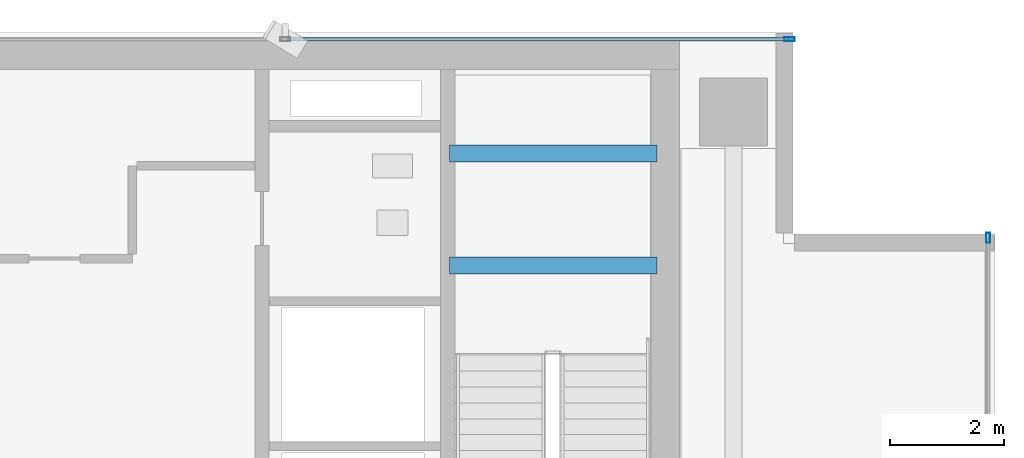
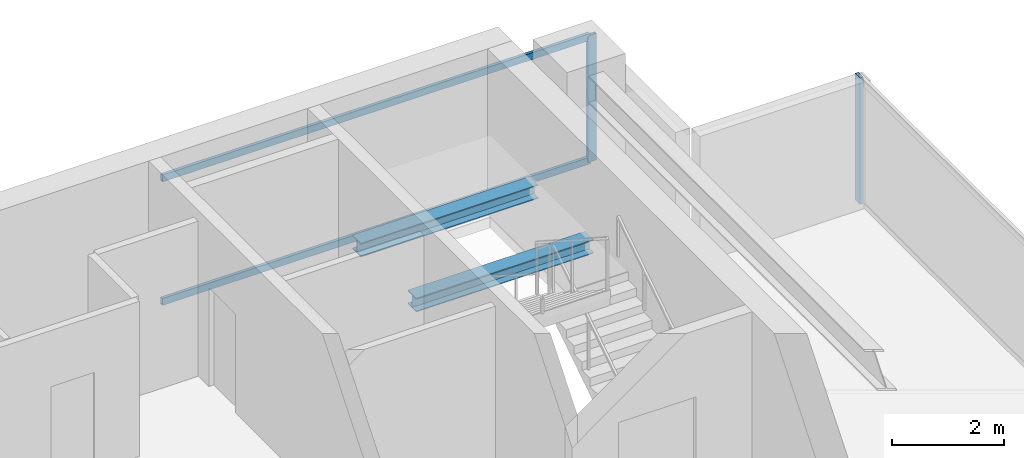
# One storey, part 13 of 22: 4 members, 2 beams, 2 elements without a shape of their own.
"""IFC4 building model written with IfcOpenShell, lengths in metres."""

import ifcopenshell
import ifcopenshell.guid

model = None  # the IFC model being written
_history = None  # IfcOwnerHistory: only IFC2X3 demands one
_inside = {}  # id of a spatial element -> (the spatial element, [elements in it])
_under = {}  # id of a project, library or spatial element -> (it, [spatial elements below it])
_declared = {}  # id of a project -> (the project, [libraries it declares])
_typed = {}  # id of a type object -> (the type object, [elements of that type])
_made_of = {}  # id of a material, layer set ... -> (it, [elements and type objects made of it])


def new_model(schema):
    """Start an empty IFC model of exactly this schema.

    Asked for "IFC4X3", IfcOpenShell would pick the latest addendum, in which some entities
    have other attributes; the version numbers below select the first issue.
    IFC2X3 requires an IfcOwnerHistory on every rooted entity: one is made here for all.
    """
    global model, _history
    if schema == "IFC4X3":
        model = ifcopenshell.file(schema_version=(4, 3, 0, 0))
    else:
        model = ifcopenshell.file(schema=schema)
    _inside.clear()
    _under.clear()
    _declared.clear()
    _typed.clear()
    _made_of.clear()
    _history = None
    if model.schema == "IFC2X3":
        org = make("IfcOrganization", Name="unknown")
        user = make(
            "IfcPersonAndOrganization",
            ThePerson=make("IfcPerson", FamilyName="unknown"),
            TheOrganization=org,
        )
        app = make(
            "IfcApplication",
            ApplicationDeveloper=org,
            Version="unknown",
            ApplicationFullName="unknown",
            ApplicationIdentifier="unknown",
        )
        _history = make(
            "IfcOwnerHistory",
            OwningUser=user,
            OwningApplication=app,
            ChangeAction="ADDED",
            CreationDate=0,
        )
    return model


def make(cls, **values):
    """One entity of the class cls with the attributes given. An attribute that is None is left unset."""
    return model.create_entity(
        cls, **{name: value for name, value in values.items() if value is not None}
    )


def rooted(cls, **values):
    """An entity with a GlobalId (a new one), such as an element, a storey or a relation."""
    return make(cls, GlobalId=ifcopenshell.guid.new(), OwnerHistory=_history, **values)


def si_unit(unit_type, name, prefix=None):
    """IfcSIUnit, for example si_unit("LENGTHUNIT", "METRE", prefix="MILLI")."""
    return make("IfcSIUnit", UnitType=unit_type, Prefix=prefix, Name=name)


def assignment(units):
    """IfcUnitAssignment: the units of a project."""
    return None if units is None else make("IfcUnitAssignment", Units=units)


def point(xyz):
    """IfcCartesianPoint."""
    return None if xyz is None else make("IfcCartesianPoint", Coordinates=xyz)


def direction(xyz):
    """IfcDirection."""
    return None if xyz is None else make("IfcDirection", DirectionRatios=xyz)


def frame(location, z_axis=None, x_axis=None):
    """IfcAxis2Placement3D, a coordinate frame: its origin and axes. An axis left out is left unset."""
    return make(
        "IfcAxis2Placement3D",
        Location=point(location),
        Axis=direction(z_axis),
        RefDirection=direction(x_axis),
    )


def frame_2d(location, x_axis=None):
    """IfcAxis2Placement2D, a coordinate frame in the plane: its origin and x axis."""
    return make(
        "IfcAxis2Placement2D", Location=point(location), RefDirection=direction(x_axis)
    )


def origin():
    """The frame at (0, 0, 0) with its axes left unset."""
    return frame((0.0, 0.0, 0.0))


def origin_2d():
    """The frame at (0, 0) in the plane with its x axis left unset."""
    return frame_2d((0.0, 0.0))


def place(relative_to, where):
    """IfcLocalPlacement: puts the frame where relative to a parent placement (None: the world)."""
    return make(
        "IfcLocalPlacement", PlacementRelTo=relative_to, RelativePlacement=where
    )


def context(
    kind, dimensions, precision=None, world=None, true_north=None, identifier=None
):
    """IfcGeometricRepresentationContext, for example the 3D "Model" context."""
    return make(
        "IfcGeometricRepresentationContext",
        ContextIdentifier=identifier,
        ContextType=kind,
        CoordinateSpaceDimension=dimensions,
        Precision=precision,
        WorldCoordinateSystem=world,
        TrueNorth=true_north,
    )


def subcontext(parent, identifier, kind, view, scale=None):
    """IfcGeometricRepresentationSubContext, for example "Body" below "Model"."""
    return make(
        "IfcGeometricRepresentationSubContext",
        ContextIdentifier=identifier,
        ContextType=kind,
        ParentContext=parent,
        TargetScale=scale,
        TargetView=view,
    )


def project(units=None, contexts=None):
    """IfcProject with its units and contexts."""
    return rooted(
        "IfcProject",
        Name="project",
        RepresentationContexts=contexts,
        UnitsInContext=assignment(units),
    )


def spatial(cls, under=None, at=None, **own):
    """A site, building, storey or space (cls), placed at a placement, below another one or the project."""
    s = rooted(cls, ObjectPlacement=at, **own)
    if under is not None:
        _under.setdefault(under.id(), (under, []))[1].append(s)
    return s


def profile(cls, at=None, kind="AREA", **sizes):
    """A parametric profile (cls). Its sizes go by their IFC names, for example OverallWidth=200.0."""
    return make(cls, ProfileType=kind, Position=at, **sizes)


def hollow_rectangle(**sizes):
    """IfcRectangleHollowProfileDef."""
    return profile("IfcRectangleHollowProfileDef", **sizes)


def i_section(**sizes):
    """IfcIShapeProfileDef."""
    return profile("IfcIShapeProfileDef", **sizes)


def extrude(swept, where, along, depth):
    """IfcExtrudedAreaSolid: the profile swept, set in the frame where, extruded along a direction by depth."""
    return make(
        "IfcExtrudedAreaSolid",
        SweptArea=swept,
        Position=where,
        ExtrudedDirection=direction(along),
        Depth=depth,
    )


def shape(context_of_items, identifier, shape_type, items):
    """IfcShapeRepresentation: the items that make up one representation, for example the "Body"."""
    return make(
        "IfcShapeRepresentation",
        ContextOfItems=context_of_items,
        RepresentationIdentifier=identifier,
        RepresentationType=shape_type,
        Items=items,
    )


def source(mapping_origin, context_of_items, identifier, shape_type, items):
    """IfcRepresentationMap: a shape defined once, which mapped items show again and again."""
    return make(
        "IfcRepresentationMap",
        MappingOrigin=mapping_origin,
        MappedRepresentation=shape(context_of_items, identifier, shape_type, items),
    )


def transform(
    local_origin,
    x_axis=None,
    y_axis=None,
    z_axis=None,
    scale=None,
    scale2=None,
    scale3=None,
    uniform=True,
):
    """IfcCartesianTransformationOperator3D, or its non-uniform kind. x_axis, y_axis, z_axis: its Axis1, 2, 3."""
    if uniform:
        return make(
            "IfcCartesianTransformationOperator3D",
            Axis1=direction(x_axis),
            Axis2=direction(y_axis),
            LocalOrigin=point(local_origin),
            Scale=scale,
            Axis3=direction(z_axis),
        )
    return make(
        "IfcCartesianTransformationOperator3DnonUniform",
        Axis1=direction(x_axis),
        Axis2=direction(y_axis),
        LocalOrigin=point(local_origin),
        Scale=scale,
        Axis3=direction(z_axis),
        Scale2=scale2,
        Scale3=scale3,
    )


def mapped(mapping_source, mapping_target):
    """IfcMappedItem: shows the shape of a source again, moved by a transform."""
    return make(
        "IfcMappedItem", MappingSource=mapping_source, MappingTarget=mapping_target
    )


def material(Name=None, Category=None):
    """IfcMaterial."""
    return make("IfcMaterial", Name=Name, Category=Category)


def layer(
    of_material, thickness, ventilated=None, Name=None, Category=None, Priority=None
):
    """IfcMaterialLayer: one layer of a wall or slab, of a material (None: an air gap)."""
    return make(
        "IfcMaterialLayer",
        Material=of_material,
        LayerThickness=thickness,
        IsVentilated=ventilated,
        Name=Name,
        Category=Category,
        Priority=Priority,
    )


def layer_set(layers, Name=None):
    """IfcMaterialLayerSet."""
    return make("IfcMaterialLayerSet", MaterialLayers=layers, LayerSetName=Name)


def material_profile(
    of_material, cross_section, Name=None, Category=None, Priority=None
):
    """IfcMaterialProfile: a cross section and its material."""
    return make(
        "IfcMaterialProfile",
        Name=Name,
        Material=of_material,
        Profile=cross_section,
        Priority=Priority,
        Category=Category,
    )


def profile_set(profiles, Name=None, composite=None):
    """IfcMaterialProfileSet."""
    return make(
        "IfcMaterialProfileSet",
        Name=Name,
        MaterialProfiles=profiles,
        CompositeProfile=composite,
    )


def made_of(thing, what):
    """Note that an element or type object is made of a material, layer set ...; save() writes the relation."""
    if what is not None:
        _made_of.setdefault(what.id(), (what, []))[1].append(thing)
    return thing


def type_object(cls, material=None, **own):
    """A type object (cls), such as IfcWallType, which elements share."""
    return made_of(rooted(cls, **own), material)


def element(
    cls,
    number,
    at=None,
    inside=None,
    cuts=None,
    type_object=None,
    material=None,
    context=None,
    identifier="Body",
    shape_type=None,
    held_by="IfcProductDefinitionShape",
    body=None,
    shapes=None,
    **own,
):
    """One element of the class cls, such as IfcWall. Its Tag is "e" and its number.

    at: its placement. inside: the storey or other place that contains it. cuts: it is an
    opening in that element (IfcRelVoidsElement). A single representation is given by context,
    identifier, shape_type and body (its items); several are given by shapes. held_by: the class
    of the entity that holds the representations. save() writes the other relations.
    """
    e = rooted(cls, Tag="e%d" % number, ObjectPlacement=at, **own)
    if body is not None:
        shapes = [shape(context, identifier, shape_type, body)]
    if shapes is not None:
        e.Representation = make(held_by, Representations=shapes)
    if inside is not None:
        _inside.setdefault(inside.id(), (inside, []))[1].append(e)
    if cuts is not None:
        rooted(
            "IfcRelVoidsElement", RelatingBuildingElement=cuts, RelatedOpeningElement=e
        )
    if type_object is not None:
        _typed.setdefault(type_object.id(), (type_object, []))[1].append(e)
    return made_of(e, material)


def aggregate(whole, parts):
    """IfcRelAggregates: a whole, such as a stair, and the parts it consists of."""
    return rooted("IfcRelAggregates", RelatingObject=whole, RelatedObjects=parts)


def save(model, path):
    """Write the relations noted so far, then the file.

    IfcRelAggregates (storeys below a building ...), IfcRelContainedInSpatialStructure (elements
    in a storey), IfcRelDefinesByType, IfcRelAssociatesMaterial and IfcRelDeclares: one each for
    every whole, place, type object, material and project.
    """
    for whole, parts in _under.values():
        aggregate(whole, parts)
    for where, things in _inside.values():
        rooted(
            "IfcRelContainedInSpatialStructure",
            RelatedElements=things,
            RelatingStructure=where,
        )
    for kind, things in _typed.values():
        rooted("IfcRelDefinesByType", RelatedObjects=things, RelatingType=kind)
    for what, things in _made_of.values():
        rooted("IfcRelAssociatesMaterial", RelatedObjects=things, RelatingMaterial=what)
    for by, libraries in _declared.values():
        rooted("IfcRelDeclares", RelatingContext=by, RelatedDefinitions=libraries)
    model.write(path)


model = new_model("IFC4")

# Units and contexts
model_context = context("Model", 3, precision=1e-05, world=origin(), true_north=direction((0.0, 1.0)))
body_context = subcontext(model_context, "Body", "Model", "MODEL_VIEW")
ifc_project = project(units=[si_unit("LENGTHUNIT", "METRE"), si_unit("AREAUNIT", "SQUARE_METRE"), si_unit("VOLUMEUNIT", "CUBIC_METRE"), si_unit("PLANEANGLEUNIT", "RADIAN"), si_unit("MASSUNIT", "GRAM", prefix="KILO")], contexts=[model_context])

# Site, building, storey
site_placement = place(None, origin())
site = spatial("IfcSite", under=ifc_project, at=site_placement, CompositionType="ELEMENT")
building_placement = place(site_placement, origin())
building = spatial("IfcBuilding", under=site, at=building_placement, Name="Sumidabori Civic Tower", CompositionType="ELEMENT")
storey_placement = place(building_placement, frame((0.0, 0.0, 279.199951171875)))
storey = spatial("IfcBuildingStorey", under=building, at=storey_placement, Name="L73", CompositionType="ELEMENT", Elevation=279.199951171875)

# Beams
ifc_material_1 = material(Name="Steel SN490", Category="steel")
ifc_material_profile_1 = material_profile(ifc_material_1, i_section(OverallWidth=0.300048828125, OverallDepth=0.300048828125, WebThickness=0.010986328125, FlangeThickness=0.01904296875, at=origin_2d()), Name="HE 300 B")
ifc_profile_set_1 = profile_set([ifc_material_profile_1], Name="Steel SN490")
beam_type = type_object("IfcBeamType", Name="BM-LDG-300", PredefinedType="BEAM", material=ifc_profile_set_1)
shared_shape_1 = source(origin(), body_context, "Body", "SweptSolid", [
    extrude(i_section(OverallWidth=0.300048828125, OverallDepth=0.300048828125, WebThickness=0.010986328125, FlangeThickness=0.01904296875, at=origin_2d()), origin(), (0.0, 0.0, 1.0), 3.64990234375),
])
for number, where, z_axis, x_axis, name in (
    (1, (11.800048828125, 20.09765625, 1.449951171875), (1.0, 0.0, 0.0), (0.0, 1.0, 0.0), "Stair ST-2 Landing Support Beam L73-1A"),
    (2, (11.800048828125, 22.069580078125, 1.449951171875), (1.0, 0.0, 0.0), (0.0, 1.0, 0.0), "Stair ST-2 Landing Trimmer Beam L73-1B"),
):
    element("IfcBeam", number, at=place(storey_placement, frame(where, z_axis=z_axis, x_axis=x_axis)), inside=storey, type_object=beam_type, Name=name, PredefinedType="BEAM", context=body_context, shape_type="MappedRepresentation", body=[
        mapped(shared_shape_1, transform((0.0, 0.0, 0.0), x_axis=(1.0, 0.0, 0.0), y_axis=(0.0, 1.0, 0.0), z_axis=(0.0, 0.0, 1.0), scale=1.0)),
    ])

# Curtain wall, member
ifc_material_2 = material(Name="Anodised Bronze Aluminium AW-6063-T6", Category="aluminium")
ifc_layer = layer(ifc_material_2, 0.179931640625, Name="Anodised Bronze Aluminium AW-6063-T6")
ifc_layer_set = layer_set([ifc_layer], Name="Anodised Bronze Aluminium AW-6063-T6")
curtain_wall_type = type_object("IfcCurtainWallType", Name="CW-SYS-6", PredefinedType="NOTDEFINED", material=ifc_layer_set)
curtain_wall_1_placement = place(storey_placement, origin())
curtain_wall_1 = element("IfcCurtainWall", 3, at=curtain_wall_1_placement, inside=storey, type_object=curtain_wall_type, Name="Curtain Wall CW:L73:R04", PredefinedType="NOTDEFINED")
ifc_material_profile_2 = material_profile(ifc_material_2, hollow_rectangle(XDim=0.070068359375, YDim=0.179931640625, WallThickness=0.006103515625, at=origin_2d()), Name="ALU MULLION 180x70")
ifc_profile_set_2 = profile_set([ifc_material_profile_2], Name="Anodised Bronze Aluminium AW-6063-T6")
member_type_1 = type_object("IfcMemberType", Name="CW-MUL-180", PredefinedType="MULLION", material=ifc_profile_set_2)
shared_shape_2 = source(origin(), body_context, "Body", "SweptSolid", [
    extrude(hollow_rectangle(XDim=0.070068359375, YDim=0.179931640625, WallThickness=0.006103515625, at=origin_2d()), origin(), (0.0, 0.0, 1.0), 2.75),
])
member_1_placement = place(storey_placement, frame((21.280029296875, 20.5849609375, 0.0), z_axis=(0.0, 0.0, 1.0), x_axis=(-1.0, 0.0, 0.0)))
member_1 = element("IfcMember", 4, at=member_1_placement, type_object=member_type_1, Name="CW-6 mullion 5", PredefinedType="MULLION", context=body_context, shape_type="MappedRepresentation", body=[
    mapped(shared_shape_2, transform((0.0, 0.0, 0.0), x_axis=(1.0, 0.0, 0.0), y_axis=(0.0, 1.0, 0.0), z_axis=(0.0, 0.0, 1.0), scale=1.0)),
])
aggregate(curtain_wall_1, [member_1])

# Curtain wall, members
curtain_wall_2_placement = place(storey_placement, origin())
curtain_wall_2 = element("IfcCurtainWall", 5, at=curtain_wall_2_placement, inside=storey, type_object=curtain_wall_type, Name="Curtain Wall CW:L73:R07", PredefinedType="NOTDEFINED")
member_2_placement = place(storey_placement, frame((17.784912109375, 24.080078125, 0.0), z_axis=(0.0, 0.0, 1.0), x_axis=(0.0, -1.0, 0.0)))
member_2 = element("IfcMember", 6, at=member_2_placement, type_object=member_type_1, Name="CW-6 mullion 1", PredefinedType="MULLION", context=body_context, shape_type="MappedRepresentation", body=[
    mapped(shared_shape_2, transform((0.0, 0.0, 0.0), x_axis=(1.0, 0.0, 0.0), y_axis=(0.0, 1.0, 0.0), z_axis=(0.0, 0.0, 1.0), scale=1.0)),
])
ifc_material_profile_3 = material_profile(ifc_material_2, hollow_rectangle(XDim=0.06494140625, YDim=0.14990234375, WallThickness=0.0048828125, at=origin_2d()), Name="ALU TRANSOM 150x65")
ifc_profile_set_3 = profile_set([ifc_material_profile_3], Name="Anodised Bronze Aluminium AW-6063-T6")
member_type_2 = type_object("IfcMemberType", Name="CW-TRN-150", PredefinedType="USERDEFINED", material=ifc_profile_set_3)
shared_shape_3 = source(origin(), body_context, "Body", "SweptSolid", [
    extrude(hollow_rectangle(XDim=0.06494140625, YDim=0.14990234375, WallThickness=0.0048828125, at=origin_2d()), origin(), (0.0, 0.0, 1.0), 8.804931640625),
])
member_3_placement = place(storey_placement, frame((17.75, 24.080078125, 0.032470703125), z_axis=(-1.0, 0.0, 0.0), x_axis=(0.0, -1.0, 0.0)))
member_3 = element("IfcMember", 7, at=member_3_placement, type_object=member_type_2, Name="CW-6 transom 1.1", ObjectType="TRANSOM", PredefinedType="USERDEFINED", context=body_context, shape_type="MappedRepresentation", body=[
    mapped(shared_shape_3, transform((0.0, 0.0, 0.0), x_axis=(1.0, 0.0, 0.0), y_axis=(0.0, 1.0, 0.0), z_axis=(0.0, 0.0, 1.0), scale=1.0)),
])
member_4_placement = place(storey_placement, frame((17.75, 24.080078125, 2.717529296875), z_axis=(-1.0, 0.0, 0.0), x_axis=(0.0, -1.0, 0.0)))
member_4 = element("IfcMember", 8, at=member_4_placement, type_object=member_type_2, Name="CW-6 transom 1.2", ObjectType="TRANSOM", PredefinedType="USERDEFINED", context=body_context, shape_type="MappedRepresentation", body=[
    mapped(shared_shape_3, transform((0.0, 0.0, 0.0), x_axis=(1.0, 0.0, 0.0), y_axis=(0.0, 1.0, 0.0), z_axis=(0.0, 0.0, 1.0), scale=1.0)),
])
aggregate(curtain_wall_2, [member_2, member_3, member_4])

save(model, "model.ifc")
